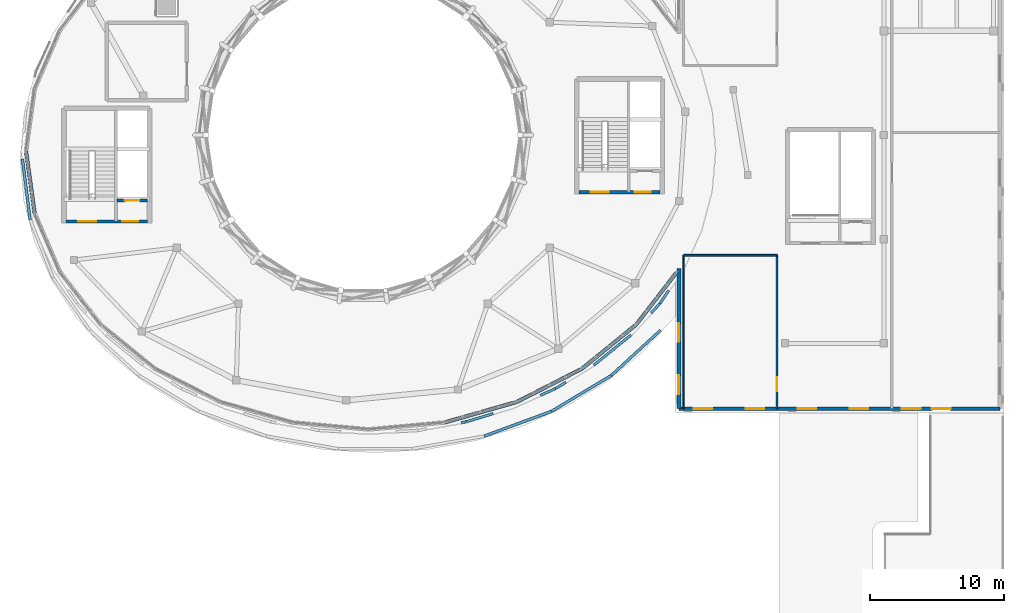
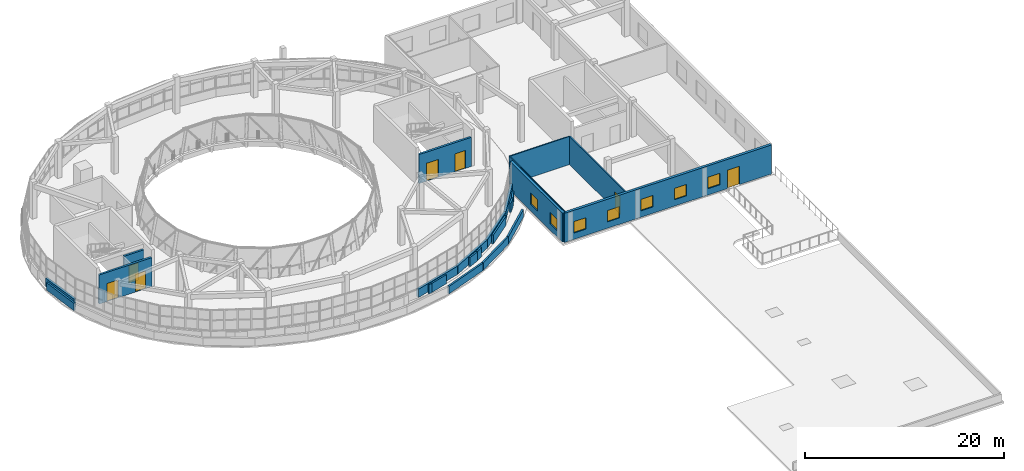
# One storey, part 35 of 46: 24 walls, 7 doors, 7 windows, 14 openings.
"""IFC4 building model written with IfcOpenShell, lengths in metres."""

from ifc_helpers import new_model, si_unit, direction, frame, frame_2d, origin, place, context, subcontext, project, spatial, rectangle, extrude, material, layer, layer_set, type_object, element, fill, save


model = new_model("IFC4")

# Units and contexts
model_context = context("Model", 3, precision=1e-05, world=origin(), true_north=direction((0.0, 1.0)))
body_context = subcontext(model_context, "Body", "Model", "MODEL_VIEW")
ifc_project = project(units=[si_unit("LENGTHUNIT", "METRE"), si_unit("AREAUNIT", "SQUARE_METRE"), si_unit("VOLUMEUNIT", "CUBIC_METRE"), si_unit("PLANEANGLEUNIT", "RADIAN"), si_unit("MASSUNIT", "GRAM", prefix="KILO")], contexts=[model_context])

# Site, building, storey
site_placement = place(None, origin())
site = spatial("IfcSite", under=ifc_project, at=site_placement, CompositionType="ELEMENT")
building_placement = place(site_placement, origin())
building = spatial("IfcBuilding", under=site, at=building_placement, Name="Pelvatis Terrace Science Centre", CompositionType="ELEMENT")
storey_placement = place(building_placement, frame((0.0, 0.0, 19.800048828125)))
storey = spatial("IfcBuildingStorey", under=building, at=storey_placement, Name="L04", CompositionType="ELEMENT", Elevation=19.800048828125)

# Wall, openings, door, windows
ifc_material_1 = material(Name="Precast concrete C35/45 architectural stone", Category="masonry")
ifc_layer_1 = layer(ifc_material_1, 0.294921875)
ifc_layer_set_1 = layer_set([ifc_layer_1], Name="Precast concrete C35/45 architectural stone")
wall_type_1 = type_object("IfcWallType", Name="WL-EXT-PREC-295", PredefinedType="SOLIDWALL", material=ifc_layer_set_1)
wall_1_placement = place(storey_placement, frame((132.85009765625, 65.300048828125, 0.0), z_axis=(0.0, 0.0, 1.0), x_axis=(1.0, 0.0, 0.0)))
wall_1 = element("IfcWall", 1, at=wall_1_placement, inside=storey, type_object=wall_type_1, Name="Exterior classical Art Deco facade wall EW-L04-S", PredefinedType="SOLIDWALL", context=body_context, shape_type="SweptSolid", body=[
    extrude(rectangle(XDim=24.0498046875, YDim=0.294921875, at=frame_2d((12.02490234375, 0.0))), origin(), (0.0, 0.0, 1.0), 3.570068359375),
])
opening_1_placement = place(wall_1_placement, frame((18.949951171875, 0.0, 0.0)))
opening_1 = element("IfcOpeningElement", 2, at=opening_1_placement, cuts=wall_1, Name="Opening D-401", PredefinedType="OPENING", context=body_context, shape_type="SweptSolid", body=[
    extrude(rectangle(XDim=1.39990234375, YDim=2.25, at=frame_2d((0.699951171875, 1.125))), frame((0.0, 0.157470703125, 0.0), z_axis=(0.0, -1.0, 0.0), x_axis=(1.0, 0.0, 0.0)), (0.0, 0.0, 1.0), 0.31494140625),
])
opening_2_placement = place(wall_1_placement, frame((1.10009765625, 0.0, 0.780029296875)))
opening_2 = element("IfcOpeningElement", 3, at=opening_2_placement, cuts=wall_1, Name="Opening W-135", PredefinedType="OPENING", context=body_context, shape_type="SweptSolid", body=[
    extrude(rectangle(XDim=1.39990234375, YDim=1.39990234375, at=frame_2d((0.699951171875, 0.699951171875))), frame((0.0, 0.157470703125, 0.0), z_axis=(0.0, -1.0, 0.0), x_axis=(1.0, 0.0, 0.0)), (0.0, 0.0, 1.0), 0.31494140625),
])
opening_3_placement = place(wall_1_placement, frame((5.0, 0.0, 0.780029296875)))
opening_3 = element("IfcOpeningElement", 4, at=opening_3_placement, cuts=wall_1, Name="Opening W-136", PredefinedType="OPENING", context=body_context, shape_type="SweptSolid", body=[
    extrude(rectangle(XDim=1.39990234375, YDim=1.39990234375, at=frame_2d((0.699951171875, 0.699951171875))), frame((0.0, 0.157470703125, 0.0), z_axis=(0.0, -1.0, 0.0), x_axis=(1.0, 0.0, 0.0)), (0.0, 0.0, 1.0), 0.31494140625),
])
opening_4_placement = place(wall_1_placement, frame((8.89990234375, 0.0, 0.780029296875)))
opening_4 = element("IfcOpeningElement", 5, at=opening_4_placement, cuts=wall_1, Name="Opening W-137", PredefinedType="OPENING", context=body_context, shape_type="SweptSolid", body=[
    extrude(rectangle(XDim=1.39990234375, YDim=1.39990234375, at=frame_2d((0.699951171875, 0.699951171875))), frame((0.0, 0.157470703125, 0.0), z_axis=(0.0, -1.0, 0.0), x_axis=(1.0, 0.0, 0.0)), (0.0, 0.0, 1.0), 0.31494140625),
])
opening_5_placement = place(wall_1_placement, frame((12.800048828125, 0.0, 0.780029296875)))
opening_5 = element("IfcOpeningElement", 6, at=opening_5_placement, cuts=wall_1, Name="Opening W-138", PredefinedType="OPENING", context=body_context, shape_type="SweptSolid", body=[
    extrude(rectangle(XDim=1.39990234375, YDim=1.39990234375, at=frame_2d((0.699951171875, 0.699951171875))), frame((0.0, 0.157470703125, 0.0), z_axis=(0.0, -1.0, 0.0), x_axis=(1.0, 0.0, 0.0)), (0.0, 0.0, 1.0), 0.31494140625),
])
opening_6_placement = place(wall_1_placement, frame((16.699951171875, 0.0, 0.780029296875)))
opening_6 = element("IfcOpeningElement", 7, at=opening_6_placement, cuts=wall_1, Name="Opening W-139", PredefinedType="OPENING", context=body_context, shape_type="SweptSolid", body=[
    extrude(rectangle(XDim=1.39990234375, YDim=1.39990234375, at=frame_2d((0.699951171875, 0.699951171875))), frame((0.0, 0.157470703125, 0.0), z_axis=(0.0, -1.0, 0.0), x_axis=(1.0, 0.0, 0.0)), (0.0, 0.0, 1.0), 0.31494140625),
])
ifc_material_2 = material(Name="Thermally broken bronze glazed terrace door", Category="glass")
door_type_1 = type_object("IfcDoorType", Name="DR-TER-1400x2250", OperationType="NOTDEFINED", PredefinedType="DOOR", material=ifc_material_2)
door_1_placement = place(opening_1_placement, origin())
door_1 = element("IfcDoor", 8, at=door_1_placement, inside=storey, type_object=door_type_1, Name="L04 East coastal terrace access door", OperationType="DOUBLE_DOOR_SINGLE_SWING", OverallHeight=2.25, OverallWidth=1.39990234375, PredefinedType="DOOR", context=body_context, shape_type="SweptSolid", body=[
    extrude(rectangle(XDim=1.39990234375, YDim=2.25, at=frame_2d((0.699951171875, 1.125))), frame((0.0, 0.02490234375, 0.0), z_axis=(0.0, -1.0, 0.0), x_axis=(1.0, 0.0, 0.0)), (0.0, 0.0, 1.0), 0.050048828125),
])
fill(opening_1, door_1)
ifc_material_3 = material(Name="Bronze-anodised aluminium and laminated low-e glass", Category="aluminium")
window_type = type_object("IfcWindowType", Name="WIN-FCR-1400x1400", PartitioningType="SINGLE_PANEL", PredefinedType="WINDOW", material=ifc_material_3)
window_1_placement = place(opening_2_placement, origin())
window_1 = element("IfcWindow", 9, at=window_1_placement, inside=storey, type_object=window_type, Name="Art Deco facade window W-135 (L04)", OverallHeight=1.39990234375, OverallWidth=1.39990234375, PartitioningType="SINGLE_PANEL", PredefinedType="WINDOW", context=body_context, shape_type="SweptSolid", body=[
    extrude(rectangle(XDim=1.39990234375, YDim=1.39990234375, at=frame_2d((0.699951171875, 0.699951171875))), frame((0.0, 0.030029296875, 0.0), z_axis=(0.0, -1.0, 0.0), x_axis=(1.0, 0.0, 0.0)), (0.0, 0.0, 1.0), 0.06005859375),
])
fill(opening_2, window_1)
window_2_placement = place(opening_3_placement, origin())
window_2 = element("IfcWindow", 10, at=window_2_placement, inside=storey, type_object=window_type, Name="Art Deco facade window W-136 (L04)", OverallHeight=1.39990234375, OverallWidth=1.39990234375, PartitioningType="SINGLE_PANEL", PredefinedType="WINDOW", context=body_context, shape_type="SweptSolid", body=[
    extrude(rectangle(XDim=1.39990234375, YDim=1.39990234375, at=frame_2d((0.699951171875, 0.699951171875))), frame((0.0, 0.030029296875, 0.0), z_axis=(0.0, -1.0, 0.0), x_axis=(1.0, 0.0, 0.0)), (0.0, 0.0, 1.0), 0.06005859375),
])
fill(opening_3, window_2)
window_3_placement = place(opening_4_placement, origin())
window_3 = element("IfcWindow", 11, at=window_3_placement, inside=storey, type_object=window_type, Name="Art Deco facade window W-137 (L04)", OverallHeight=1.39990234375, OverallWidth=1.39990234375, PartitioningType="SINGLE_PANEL", PredefinedType="WINDOW", context=body_context, shape_type="SweptSolid", body=[
    extrude(rectangle(XDim=1.39990234375, YDim=1.39990234375, at=frame_2d((0.699951171875, 0.699951171875))), frame((0.0, 0.030029296875, 0.0), z_axis=(0.0, -1.0, 0.0), x_axis=(1.0, 0.0, 0.0)), (0.0, 0.0, 1.0), 0.06005859375),
])
fill(opening_4, window_3)
window_4_placement = place(opening_5_placement, origin())
window_4 = element("IfcWindow", 12, at=window_4_placement, inside=storey, type_object=window_type, Name="Art Deco facade window W-138 (L04)", OverallHeight=1.39990234375, OverallWidth=1.39990234375, PartitioningType="SINGLE_PANEL", PredefinedType="WINDOW", context=body_context, shape_type="SweptSolid", body=[
    extrude(rectangle(XDim=1.39990234375, YDim=1.39990234375, at=frame_2d((0.699951171875, 0.699951171875))), frame((0.0, 0.030029296875, 0.0), z_axis=(0.0, -1.0, 0.0), x_axis=(1.0, 0.0, 0.0)), (0.0, 0.0, 1.0), 0.06005859375),
])
fill(opening_5, window_4)
window_5_placement = place(opening_6_placement, origin())
window_5 = element("IfcWindow", 13, at=window_5_placement, inside=storey, type_object=window_type, Name="Art Deco facade window W-139 (L04)", OverallHeight=1.39990234375, OverallWidth=1.39990234375, PartitioningType="SINGLE_PANEL", PredefinedType="WINDOW", context=body_context, shape_type="SweptSolid", body=[
    extrude(rectangle(XDim=1.39990234375, YDim=1.39990234375, at=frame_2d((0.699951171875, 0.699951171875))), frame((0.0, 0.030029296875, 0.0), z_axis=(0.0, -1.0, 0.0), x_axis=(1.0, 0.0, 0.0)), (0.0, 0.0, 1.0), 0.06005859375),
])
fill(opening_6, window_5)

# Wall, openings, windows
wall_2_placement = place(storey_placement, frame((132.85009765625, 65.300048828125, 0.0), z_axis=(0.0, 0.0, 1.0), x_axis=(0.0, 1.0, 0.0)))
wall_2 = element("IfcWall", 14, at=wall_2_placement, inside=storey, type_object=wall_type_1, Name="Exterior classical Art Deco facade wall EW-L04-WS", PredefinedType="SOLIDWALL", context=body_context, shape_type="SweptSolid", body=[
    extrude(rectangle(XDim=10.5, YDim=0.294921875, at=frame_2d((5.25, 0.0))), origin(), (0.0, 0.0, 1.0), 3.570068359375),
])
opening_7_placement = place(wall_2_placement, frame((1.10009765625, 0.0, 0.780029296875)))
opening_7 = element("IfcOpeningElement", 15, at=opening_7_placement, cuts=wall_2, Name="Opening W-140", PredefinedType="OPENING", context=body_context, shape_type="SweptSolid", body=[
    extrude(rectangle(XDim=1.39990234375, YDim=1.39990234375, at=frame_2d((0.699951171875, 0.699951171875))), frame((0.0, 0.157470703125, 0.0), z_axis=(0.0, -1.0, 0.0), x_axis=(1.0, 0.0, 0.0)), (0.0, 0.0, 1.0), 0.31494140625),
])
opening_8_placement = place(wall_2_placement, frame((5.0, 0.0, 0.780029296875)))
opening_8 = element("IfcOpeningElement", 16, at=opening_8_placement, cuts=wall_2, Name="Opening W-141", PredefinedType="OPENING", context=body_context, shape_type="SweptSolid", body=[
    extrude(rectangle(XDim=1.39990234375, YDim=1.39990234375, at=frame_2d((0.699951171875, 0.699951171875))), frame((0.0, 0.157470703125, 0.0), z_axis=(0.0, -1.0, 0.0), x_axis=(1.0, 0.0, 0.0)), (0.0, 0.0, 1.0), 0.31494140625),
])
window_6_placement = place(opening_7_placement, origin())
window_6 = element("IfcWindow", 17, at=window_6_placement, inside=storey, type_object=window_type, Name="Art Deco facade window W-140 (L04)", OverallHeight=1.39990234375, OverallWidth=1.39990234375, PartitioningType="SINGLE_PANEL", PredefinedType="WINDOW", context=body_context, shape_type="SweptSolid", body=[
    extrude(rectangle(XDim=1.39990234375, YDim=1.39990234375, at=frame_2d((0.699951171875, 0.699951171875))), frame((0.0, 0.030029296875, 0.0), z_axis=(0.0, -1.0, 0.0), x_axis=(1.0, 0.0, 0.0)), (0.0, 0.0, 1.0), 0.06005859375),
])
fill(opening_7, window_6)
window_7_placement = place(opening_8_placement, origin())
window_7 = element("IfcWindow", 18, at=window_7_placement, inside=storey, type_object=window_type, Name="Art Deco facade window W-141 (L04)", OverallHeight=1.39990234375, OverallWidth=1.39990234375, PartitioningType="SINGLE_PANEL", PredefinedType="WINDOW", context=body_context, shape_type="SweptSolid", body=[
    extrude(rectangle(XDim=1.39990234375, YDim=1.39990234375, at=frame_2d((0.699951171875, 0.699951171875))), frame((0.0, 0.030029296875, 0.0), z_axis=(0.0, -1.0, 0.0), x_axis=(1.0, 0.0, 0.0)), (0.0, 0.0, 1.0), 0.06005859375),
])
fill(opening_8, window_7)

# Walls
ifc_material_4 = material(Name="White architectural precast concrete C40/50 spandrel", Category="concrete")
ifc_layer_2 = layer(ifc_material_4, 0.27490234375)
ifc_layer_set_2 = layer_set([ifc_layer_2], Name="White architectural precast concrete C40/50 spandrel")
wall_type_2 = type_object("IfcWallType", Name="WL-EXT-SPND-275", PredefinedType="SOLIDWALL", material=ifc_layer_set_2)
wall_3_placement = place(storey_placement, frame((83.949951171875, 84.60009765625, 0.0), z_axis=(0.0, 0.0, 1.0), x_axis=(0.137289959731, -0.990530901566, 0.0)))
element("IfcWall", 19, at=wall_3_placement, inside=storey, type_object=wall_type_2, Name="V1 white spiral spandrel band 15 (L04)", PredefinedType="SOLIDWALL", context=body_context, shape_type="SweptSolid", body=[
    extrude(rectangle(XDim=4.68408203125, YDim=0.27490234375, at=frame_2d((2.342041015625, 0.0))), origin(), (0.0, 0.0, 1.0), 1.02001953125),
])
wall_4_placement = place(storey_placement, frame((115.3076171875, 64.272705078125, 0.0), z_axis=(0.0, 0.0, 1.0), x_axis=(0.961850171626, 0.273576766819, 0.0)))
element("IfcWall", 20, at=wall_4_placement, inside=storey, type_object=wall_type_2, Name="V1 white spiral spandrel band 23 (L04)", PredefinedType="SOLIDWALL", context=body_context, shape_type="SweptSolid", body=[
    extrude(rectangle(XDim=5.636474609375, YDim=0.27490234375, at=frame_2d((2.818359375, 0.0))), origin(), (0.0, 0.0, 1.0), 1.02001953125),
])
wall_5_placement = place(storey_placement, frame((120.72900390625, 65.814697265625, 0.0), z_axis=(0.0, 0.0, 1.0), x_axis=(0.890558645539, 0.454868441261, 0.0)))
element("IfcWall", 21, at=wall_5_placement, inside=storey, type_object=wall_type_2, Name="V1 white spiral spandrel band 24 (L04)", PredefinedType="SOLIDWALL", context=body_context, shape_type="SweptSolid", body=[
    extrude(rectangle(XDim=5.461181640625, YDim=0.27490234375, at=frame_2d((2.73046875, 0.0))), origin(), (0.0, 0.0, 1.0), 1.02001953125),
])
wall_6_placement = place(storey_placement, frame((125.592529296875, 68.298828125, 0.0), z_axis=(0.0, 0.0, 1.0), x_axis=(0.775994134664, 0.630740123162, 0.0)))
element("IfcWall", 22, at=wall_6_placement, inside=storey, type_object=wall_type_2, Name="V1 white spiral spandrel band 25 (L04)", PredefinedType="SOLIDWALL", context=body_context, shape_type="SweptSolid", body=[
    extrude(rectangle(XDim=5.23388671875, YDim=0.27490234375, at=frame_2d((2.616943359375, 0.0))), origin(), (0.0, 0.0, 1.0), 1.02001953125),
])
wall_7_placement = place(storey_placement, frame((129.654052734375, 71.60009765625, 0.0), z_axis=(0.0, 0.0, 1.0), x_axis=(0.611576816245, 0.791185059156, 0.0)))
element("IfcWall", 23, at=wall_7_placement, inside=storey, type_object=wall_type_2, Name="V1 white spiral spandrel band 26 (L04)", PredefinedType="SOLIDWALL", context=body_context, shape_type="SweptSolid", body=[
    extrude(rectangle(XDim=4.996826171875, YDim=0.27490234375, at=frame_2d((2.49853515625, 0.0))), origin(), (0.0, 0.0, 1.0), 1.02001953125),
])

# Wall, opening, door
ifc_material_5 = material(Name="Concrete C35/45 stair enclosure wall", Category="concrete")
ifc_layer_3 = layer(ifc_material_5, 0.22509765625)
ifc_layer_set_3 = layer_set([ifc_layer_3], Name="Concrete C35/45 stair enclosure wall")
wall_type_3 = type_object("IfcWallType", Name="WL-INT-CORE-225", PredefinedType="PARTITIONING", material=ifc_layer_set_3)
wall_8_placement = place(storey_placement, frame((90.75, 80.89990234375, 0.0), z_axis=(0.0, 0.0, 1.0), x_axis=(1.0, 0.0, 0.0)))
wall_8 = element("IfcWall", 24, at=wall_8_placement, inside=storey, type_object=wall_type_3, Name="Core C1 lift shaft landing wall (L04)", PredefinedType="PARTITIONING", context=body_context, shape_type="SweptSolid", body=[
    extrude(rectangle(XDim=2.300048828125, YDim=0.22509765625, at=frame_2d((1.14990234375, 0.0))), origin(), (0.0, 0.0, 1.0), 3.570068359375),
])
opening_9_placement = place(wall_8_placement, frame((0.60009765625, 0.0, 0.0)))
opening_9 = element("IfcOpeningElement", 25, at=opening_9_placement, cuts=wall_8, Name="Opening LD-C1-6", PredefinedType="OPENING", context=body_context, shape_type="SweptSolid", body=[
    extrude(rectangle(XDim=1.10009765625, YDim=2.14990234375, at=frame_2d((0.550048828125, 1.074951171875))), frame((0.0, 0.12255859375, 0.0), z_axis=(0.0, -1.0, 0.0), x_axis=(1.0, 0.0, 0.0)), (0.0, 0.0, 1.0), 0.2451171875),
])
ifc_material_6 = material(Name="Stainless steel sliding fire-fighting lift landing door", Category="steel")
door_type_2 = type_object("IfcDoorType", Name="DR-LIFT-1100x2150", OperationType="NOTDEFINED", PredefinedType="DOOR", material=ifc_material_6)
door_2_placement = place(opening_9_placement, origin())
door_2 = element("IfcDoor", 26, at=door_2_placement, inside=storey, type_object=door_type_2, Name="Lift LF-01 sliding landing door (L04)", OperationType="SLIDING_TO_RIGHT", OverallHeight=2.14990234375, OverallWidth=1.10009765625, PredefinedType="DOOR", context=body_context, shape_type="SweptSolid", body=[
    extrude(rectangle(XDim=1.10009765625, YDim=2.14990234375, at=frame_2d((0.550048828125, 1.074951171875))), frame((0.0, 0.02490234375, 0.0), z_axis=(0.0, -1.0, 0.0), x_axis=(1.0, 0.0, 0.0)), (0.0, 0.0, 1.0), 0.050048828125),
])
fill(opening_9, door_2)

# Wall, openings, doors
ifc_material_7 = material(Name="Concrete C35/45 shaft enclosure wall", Category="concrete")
ifc_layer_4 = layer(ifc_material_7, 0.239990234375)
ifc_layer_set_4 = layer_set([ifc_layer_4], Name="Concrete C35/45 shaft enclosure wall")
wall_type_4 = type_object("IfcWallType", Name="WL-INT-CORE-240", PredefinedType="PARTITIONING", material=ifc_layer_set_4)
wall_9_placement = place(storey_placement, frame((86.949951171875, 79.320068359375, 0.0), z_axis=(0.0, 0.0, 1.0), x_axis=(1.0, 0.0, 0.0)))
wall_9 = element("IfcWall", 27, at=wall_9_placement, inside=storey, type_object=wall_type_4, Name="Core C1 fire-rated lobby wall (L04)", PredefinedType="PARTITIONING", context=body_context, shape_type="SweptSolid", body=[
    extrude(rectangle(XDim=6.10009765625, YDim=0.239990234375, at=frame_2d((3.050048828125, 0.0))), origin(), (0.0, 0.0, 1.0), 3.570068359375),
])
opening_10_placement = place(wall_9_placement, frame((0.89990234375, 0.0, 0.0)))
opening_10 = element("IfcOpeningElement", 28, at=opening_10_placement, cuts=wall_9, Name="Opening D-111", PredefinedType="OPENING", context=body_context, shape_type="SweptSolid", body=[
    extrude(rectangle(XDim=1.35009765625, YDim=2.199951171875, at=frame_2d((0.675048828125, 1.10009765625))), frame((0.0, 0.1298828125, 0.0), z_axis=(0.0, -1.0, 0.0), x_axis=(1.0, 0.0, 0.0)), (0.0, 0.0, 1.0), 0.260009765625),
])
opening_11_placement = place(wall_9_placement, frame((4.199951171875, 0.0, 0.0)))
opening_11 = element("IfcOpeningElement", 29, at=opening_11_placement, cuts=wall_9, Name="Opening D-112", PredefinedType="OPENING", context=body_context, shape_type="SweptSolid", body=[
    extrude(rectangle(XDim=1.199951171875, YDim=2.199951171875, at=frame_2d((0.60009765625, 1.10009765625))), frame((0.0, 0.1298828125, 0.0), z_axis=(0.0, -1.0, 0.0), x_axis=(1.0, 0.0, 0.0)), (0.0, 0.0, 1.0), 0.260009765625),
])
ifc_material_8 = material(Name="Steel fire-rated exit stair door", Category="steel")
door_type_3 = type_object("IfcDoorType", Name="DR-STAIR-1200x2200", OperationType="NOTDEFINED", PredefinedType="DOOR", material=ifc_material_8)
door_3_placement = place(opening_11_placement, origin())
door_3 = element("IfcDoor", 30, at=door_3_placement, inside=storey, type_object=door_type_3, Name="Core C1 lift lobby fire door (L04)", OperationType="SINGLE_SWING_LEFT", OverallHeight=2.199951171875, OverallWidth=1.199951171875, PredefinedType="DOOR", context=body_context, shape_type="SweptSolid", body=[
    extrude(rectangle(XDim=1.199951171875, YDim=2.199951171875, at=frame_2d((0.60009765625, 1.10009765625))), frame((0.0, 0.02490234375, 0.0), z_axis=(0.0, -1.0, 0.0), x_axis=(1.0, 0.0, 0.0)), (0.0, 0.0, 1.0), 0.050048828125),
])
fill(opening_11, door_3)
ifc_material_9 = material(Name="Steel fire-rated protected stair door", Category="steel")
door_type_4 = type_object("IfcDoorType", Name="DR-STAIR-1350x2200", OperationType="NOTDEFINED", PredefinedType="DOOR", material=ifc_material_9)
door_4_placement = place(opening_10_placement, origin())
door_4 = element("IfcDoor", 31, at=door_4_placement, inside=storey, type_object=door_type_4, Name="Core C1 protected stair fire door (L04)", OperationType="SINGLE_SWING_RIGHT", OverallHeight=2.199951171875, OverallWidth=1.35009765625, PredefinedType="DOOR", context=body_context, shape_type="SweptSolid", body=[
    extrude(rectangle(XDim=1.35009765625, YDim=2.199951171875, at=frame_2d((0.675048828125, 1.10009765625))), frame((0.0, 0.02490234375, 0.0), z_axis=(0.0, -1.0, 0.0), x_axis=(1.0, 0.0, 0.0)), (0.0, 0.0, 1.0), 0.050048828125),
])
fill(opening_10, door_4)

wall_10_placement = place(storey_placement, frame((125.35009765625, 81.52001953125, 0.0), z_axis=(0.0, 0.0, 1.0), x_axis=(1.0, 0.0, 0.0)))
wall_10 = element("IfcWall", 32, at=wall_10_placement, inside=storey, type_object=wall_type_4, Name="Core C2 fire-rated lobby wall (L04)", PredefinedType="PARTITIONING", context=body_context, shape_type="SweptSolid", body=[
    extrude(rectangle(XDim=6.099853515625, YDim=0.239990234375, at=frame_2d((3.0498046875, 0.0))), origin(), (0.0, 0.0, 1.0), 3.570068359375),
])
opening_12_placement = place(wall_10_placement, frame((0.89990234375, 0.0, 0.0)))
opening_12 = element("IfcOpeningElement", 33, at=opening_12_placement, cuts=wall_10, Name="Opening D-125", PredefinedType="OPENING", context=body_context, shape_type="SweptSolid", body=[
    extrude(rectangle(XDim=1.35009765625, YDim=2.199951171875, at=frame_2d((0.675048828125, 1.10009765625))), frame((0.0, 0.1298828125, 0.0), z_axis=(0.0, -1.0, 0.0), x_axis=(1.0, 0.0, 0.0)), (0.0, 0.0, 1.0), 0.260009765625),
])
opening_13_placement = place(wall_10_placement, frame((4.199951171875, 0.0, 0.0)))
opening_13 = element("IfcOpeningElement", 34, at=opening_13_placement, cuts=wall_10, Name="Opening D-126", PredefinedType="OPENING", context=body_context, shape_type="SweptSolid", body=[
    extrude(rectangle(XDim=1.199951171875, YDim=2.199951171875, at=frame_2d((0.60009765625, 1.10009765625))), frame((0.0, 0.1298828125, 0.0), z_axis=(0.0, -1.0, 0.0), x_axis=(1.0, 0.0, 0.0)), (0.0, 0.0, 1.0), 0.260009765625),
])
door_5_placement = place(opening_13_placement, origin())
door_5 = element("IfcDoor", 35, at=door_5_placement, inside=storey, type_object=door_type_3, Name="Core C2 lift lobby fire door (L04)", OperationType="SINGLE_SWING_LEFT", OverallHeight=2.199951171875, OverallWidth=1.199951171875, PredefinedType="DOOR", context=body_context, shape_type="SweptSolid", body=[
    extrude(rectangle(XDim=1.199951171875, YDim=2.199951171875, at=frame_2d((0.60009765625, 1.10009765625))), frame((0.0, 0.02490234375, 0.0), z_axis=(0.0, -1.0, 0.0), x_axis=(1.0, 0.0, 0.0)), (0.0, 0.0, 1.0), 0.050048828125),
])
fill(opening_13, door_5)
door_6_placement = place(opening_12_placement, origin())
door_6 = element("IfcDoor", 36, at=door_6_placement, inside=storey, type_object=door_type_4, Name="Core C2 protected stair fire door (L04)", OperationType="SINGLE_SWING_RIGHT", OverallHeight=2.199951171875, OverallWidth=1.35009765625, PredefinedType="DOOR", context=body_context, shape_type="SweptSolid", body=[
    extrude(rectangle(XDim=1.35009765625, YDim=2.199951171875, at=frame_2d((0.675048828125, 1.10009765625))), frame((0.0, 0.02490234375, 0.0), z_axis=(0.0, -1.0, 0.0), x_axis=(1.0, 0.0, 0.0)), (0.0, 0.0, 1.0), 0.050048828125),
])
fill(opening_12, door_6)

# Wall
ifc_material_10 = material(Name="Glazed laboratory screen", Category="glass")
ifc_layer_5 = layer(ifc_material_10, 0.097900390625)
ifc_layer_set_5 = layer_set([ifc_layer_5], Name="Glazed laboratory screen")
wall_type_5 = type_object("IfcWallType", Name="WL-INT-GAL-098", PredefinedType="PARTITIONING", material=ifc_layer_set_5)
wall_11_placement = place(storey_placement, frame((133.199951171875, 76.800048828125, 0.0), z_axis=(0.0, 0.0, 1.0), x_axis=(0.0, -1.0, 0.0)))
element("IfcWall", 37, at=wall_11_placement, inside=storey, type_object=wall_type_5, Name="Science Outreach and Curriculum Educator Workroom partition wall W", PredefinedType="PARTITIONING", context=body_context, shape_type="SweptSolid", body=[
    extrude(rectangle(XDim=11.5, YDim=0.097900390625, at=frame_2d((5.75, 0.0))), origin(), (0.0, 0.0, 1.0), 3.449951171875),
])

# Wall, opening, door
ifc_material_11 = material(Name="Office partition wall", Category="masonry")
ifc_layer_6 = layer(ifc_material_11, 0.139892578125)
ifc_layer_set_6 = layer_set([ifc_layer_6], Name="Office partition wall")
wall_type_6 = type_object("IfcWallType", Name="WL-INT-GAL-140", PredefinedType="PARTITIONING", material=ifc_layer_set_6)
wall_12_placement = place(storey_placement, frame((140.199951171875, 65.300048828125, 0.0), z_axis=(0.0, 0.0, 1.0), x_axis=(0.0, 1.0, 0.0)))
wall_12 = element("IfcWall", 38, at=wall_12_placement, inside=storey, type_object=wall_type_6, Name="Science Outreach and Curriculum Educator Workroom partition wall E", PredefinedType="PARTITIONING", context=body_context, shape_type="SweptSolid", body=[
    extrude(rectangle(XDim=11.5, YDim=0.139892578125, at=frame_2d((5.75, 0.0))), origin(), (0.0, 0.0, 1.0), 3.449951171875),
])
opening_14_placement = place(wall_12_placement, frame((1.303955078125, 0.0, 0.0)))
opening_14 = element("IfcOpeningElement", 39, at=opening_14_placement, cuts=wall_12, Name="Opening D-217", PredefinedType="OPENING", context=body_context, shape_type="SweptSolid", body=[
    extrude(rectangle(XDim=1.050048828125, YDim=2.14990234375, at=frame_2d((0.52490234375, 1.074951171875))), frame((0.0, 0.079833984375, 0.0), z_axis=(0.0, -1.0, 0.0), x_axis=(1.0, 0.0, 0.0)), (0.0, 0.0, 1.0), 0.159912109375),
])
ifc_material_12 = material(Name="Flush hardwood curatorial office door", Category="wood")
door_type_5 = type_object("IfcDoorType", Name="DR-OFF-1050x2150", OperationType="NOTDEFINED", PredefinedType="DOOR", material=ifc_material_12)
door_7_placement = place(opening_14_placement, origin())
door_7 = element("IfcDoor", 40, at=door_7_placement, inside=storey, type_object=door_type_5, Name="Science Outreach and Curriculum Educator Workroom entrance door", OperationType="SINGLE_SWING_RIGHT", OverallHeight=2.14990234375, OverallWidth=1.050048828125, PredefinedType="DOOR", context=body_context, shape_type="SweptSolid", body=[
    extrude(rectangle(XDim=1.050048828125, YDim=2.14990234375, at=frame_2d((0.52490234375, 1.074951171875))), frame((0.0, 0.02490234375, 0.0), z_axis=(0.0, -1.0, 0.0), x_axis=(1.0, 0.0, 0.0)), (0.0, 0.0, 1.0), 0.050048828125),
])
fill(opening_14, door_7)

# Walls
ifc_material_13 = material(Name="Standard gypsum board partition", Category="masonry")
ifc_layer_7 = layer(ifc_material_13, 0.125)
ifc_layer_set_7 = layer_set([ifc_layer_7], Name="Standard gypsum board partition")
wall_type_7 = type_object("IfcWallType", Name="WL-INT-STD-125", PredefinedType="PARTITIONING", material=ifc_layer_set_7)
wall_13_placement = place(storey_placement, frame((140.199951171875, 76.800048828125, 0.0), z_axis=(0.0, 0.0, 1.0), x_axis=(-1.0, 0.0, 0.0)))
element("IfcWall", 41, at=wall_13_placement, inside=storey, type_object=wall_type_7, Name="Science Outreach and Curriculum Educator Workroom partition wall N", PredefinedType="PARTITIONING", context=body_context, shape_type="SweptSolid", body=[
    extrude(rectangle(XDim=7.0, YDim=0.125, at=frame_2d((3.5, 0.0))), origin(), (0.0, 0.0, 1.0), 3.449951171875),
])
ifc_material_14 = material(Name="White architectural precast concrete C40/50 spandrel parapet", Category="concrete")
ifc_layer_8 = layer(ifc_material_14, 0.18994140625)
ifc_layer_set_8 = layer_set([ifc_layer_8], Name="White architectural precast concrete C40/50 spandrel parapet")
wall_type_8 = type_object("IfcWallType", Name="WL-PAR-190", PredefinedType="PARAPET", material=ifc_layer_set_8)
wall_14_placement = place(storey_placement, frame((132.083984375, 74.1591796875, 0.0), z_axis=(0.0, 0.0, 1.0), x_axis=(-0.556412327291, -0.83090632567, 0.0)))
element("IfcWall", 42, at=wall_14_placement, inside=storey, type_object=wall_type_8, Name="Perimeter edge closure parapet PW-EDG-L04-400", PredefinedType="PARAPET", context=body_context, shape_type="SweptSolid", body=[
    extrude(rectangle(XDim=1.183837890625, YDim=0.18994140625, at=frame_2d((0.591796875, 0.0))), origin(), (0.0, 0.0, 1.0), 1.119873046875),
])
wall_15_placement = place(storey_placement, frame((131.42529296875, 73.175537109375, 0.0), z_axis=(0.0, 0.0, 1.0), x_axis=(-0.676433419402, -0.736503787577, 0.0)))
element("IfcWall", 43, at=wall_15_placement, inside=storey, type_object=wall_type_8, Name="Perimeter edge closure parapet PW-EDG-L04-401", PredefinedType="PARAPET", context=body_context, shape_type="SweptSolid", body=[
    extrude(rectangle(XDim=0.950927734375, YDim=0.18994140625, at=frame_2d((0.4755859375, 0.0))), origin(), (0.0, 0.0, 1.0), 1.119873046875),
])
wall_16_placement = place(storey_placement, frame((129.267578125, 70.8251953125, 0.0), z_axis=(0.0, 0.0, 1.0), x_axis=(-0.775995585182, -0.630738338599, 0.0)))
element("IfcWall", 44, at=wall_16_placement, inside=storey, type_object=wall_type_8, Name="Perimeter edge closure parapet PW-EDG-L04-402", PredefinedType="PARAPET", context=body_context, shape_type="SweptSolid", body=[
    extrude(rectangle(XDim=3.59521484375, YDim=0.18994140625, at=frame_2d((1.797607421875, 0.0))), origin(), (0.0, 0.0, 1.0), 1.119873046875),
])
wall_17_placement = place(storey_placement, frame((124.388916015625, 67.28271484375, 0.0), z_axis=(0.0, 0.0, 1.0), x_axis=(-0.853451211572, -0.521172744362, 0.0)))
element("IfcWall", 45, at=wall_17_placement, inside=storey, type_object=wall_type_8, Name="Perimeter edge closure parapet PW-EDG-L04-403", PredefinedType="PARAPET", context=body_context, shape_type="SweptSolid", body=[
    extrude(rectangle(XDim=0.890625, YDim=0.18994140625, at=frame_2d((0.4453125, 0.0))), origin(), (0.0, 0.0, 1.0), 1.119873046875),
])
wall_18_placement = place(storey_placement, frame((123.62890625, 66.818603515625, 0.0), z_axis=(0.0, 0.0, 1.0), x_axis=(-0.91355677177, -0.406711230178, 0.0)))
element("IfcWall", 46, at=wall_18_placement, inside=storey, type_object=wall_type_8, Name="Perimeter edge closure parapet PW-EDG-L04-404", PredefinedType="PARAPET", context=body_context, shape_type="SweptSolid", body=[
    extrude(rectangle(XDim=1.265380859375, YDim=0.18994140625, at=frame_2d((0.6328125, 0.0))), origin(), (0.0, 0.0, 1.0), 1.119873046875),
])
wall_19_placement = place(storey_placement, frame((118.940673828125, 64.934326171875, 0.0), z_axis=(0.0, 0.0, 1.0), x_axis=(-0.956749106356, -0.29091433015, 0.0)))
element("IfcWall", 47, at=wall_19_placement, inside=storey, type_object=wall_type_8, Name="Perimeter edge closure parapet PW-EDG-L04-405", PredefinedType="PARAPET", context=body_context, shape_type="SweptSolid", body=[
    extrude(rectangle(XDim=2.12158203125, YDim=0.18994140625, at=frame_2d((1.060791015625, 0.0))), origin(), (0.0, 0.0, 1.0), 1.119873046875),
])
wall_20_placement = place(storey_placement, frame((116.910888671875, 64.317138671875, 0.0), z_axis=(0.0, 0.0, 1.0), x_axis=(-0.984653623237, -0.174520033942, 0.0)))
element("IfcWall", 48, at=wall_20_placement, inside=storey, type_object=wall_type_8, Name="Perimeter edge closure parapet PW-EDG-L04-406", PredefinedType="PARAPET", context=body_context, shape_type="SweptSolid", body=[
    extrude(rectangle(XDim=0.379150390625, YDim=0.18994140625, at=frame_2d((0.189453125, 0.0))), origin(), (0.0, 0.0, 1.0), 1.119873046875),
])
ifc_material_15 = material(Name="White architectural precast concrete C40/50 spandrel parapet", Category="concrete")
ifc_layer_9 = layer(ifc_material_15, 0.205078125)
ifc_layer_set_9 = layer_set([ifc_layer_9], Name="White architectural precast concrete C40/50 spandrel parapet")
wall_type_9 = type_object("IfcWallType", Name="WL-PAR-205", PredefinedType="PARAPET", material=ifc_layer_set_9)
wall_21_placement = place(storey_placement, frame((83.679931640625, 84.0, 0.0), z_axis=(0.0, 0.0, 1.0), x_axis=(0.126255234836, -0.991997790157, 0.0)))
element("IfcWall", 49, at=wall_21_placement, inside=storey, type_object=wall_type_9, Name="White spiral ring parapet PW-CRV-L04-049", PredefinedType="PARAPET", context=body_context, shape_type="SweptSolid", body=[
    extrude(rectangle(XDim=4.5732421875, YDim=0.205078125, at=frame_2d((2.28662109375, 0.0))), origin(), (0.0, 0.0, 1.0), 0.919921875),
])
wall_22_placement = place(storey_placement, frame((118.26416015625, 63.247802734375, 0.0), z_axis=(0.0, 0.0, 1.0), x_axis=(0.938556923092, 0.345124473365, 0.0)))
element("IfcWall", 50, at=wall_22_placement, inside=storey, type_object=wall_type_9, Name="White spiral ring parapet PW-CRV-L04-058", PredefinedType="PARAPET", context=body_context, shape_type="SweptSolid", body=[
    extrude(rectangle(XDim=5.376220703125, YDim=0.205078125, at=frame_2d((2.68798828125, 0.0))), origin(), (0.0, 0.0, 1.0), 0.919921875),
])
wall_23_placement = place(storey_placement, frame((123.31005859375, 65.103271484375, 0.0), z_axis=(0.0, 0.0, 1.0), x_axis=(0.857455718754, 0.514557761943, 0.0)))
element("IfcWall", 51, at=wall_23_placement, inside=storey, type_object=wall_type_9, Name="White spiral ring parapet PW-CRV-L04-059", PredefinedType="PARAPET", context=body_context, shape_type="SweptSolid", body=[
    extrude(rectangle(XDim=5.211181640625, YDim=0.205078125, at=frame_2d((2.60546875, 0.0))), origin(), (0.0, 0.0, 1.0), 0.919921875),
])
wall_24_placement = place(storey_placement, frame((127.7783203125, 67.78466796875, 0.0), z_axis=(0.0, 0.0, 1.0), x_axis=(0.736947988191, 0.67594945277, 0.0)))
element("IfcWall", 52, at=wall_24_placement, inside=storey, type_object=wall_type_9, Name="White spiral ring parapet PW-CRV-L04-060", PredefinedType="PARAPET", context=body_context, shape_type="SweptSolid", body=[
    extrude(rectangle(XDim=5.014892578125, YDim=0.205078125, at=frame_2d((2.50732421875, 0.0))), origin(), (0.0, 0.0, 1.0), 0.919921875),
])

save(model, "model.ifc")
